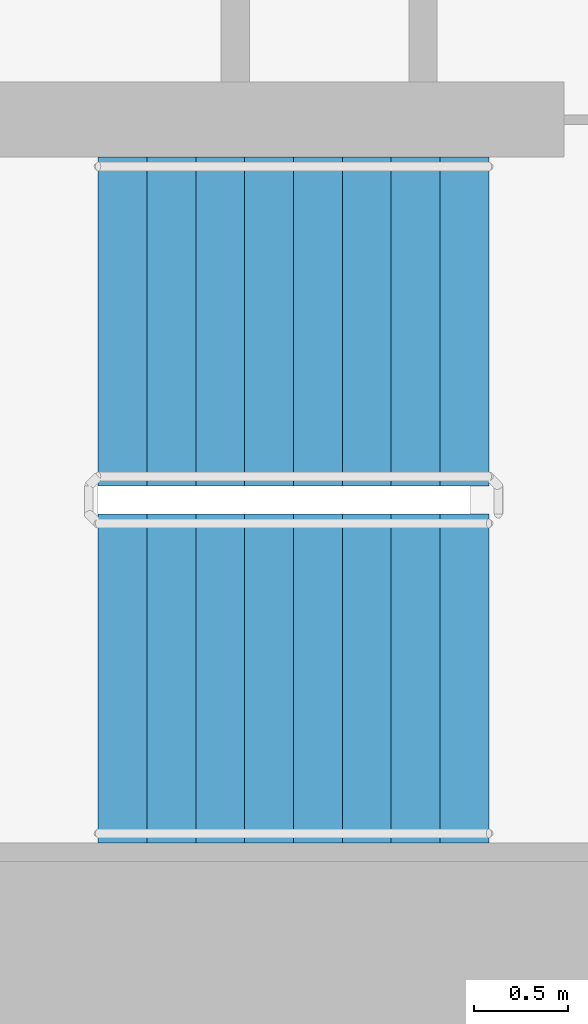
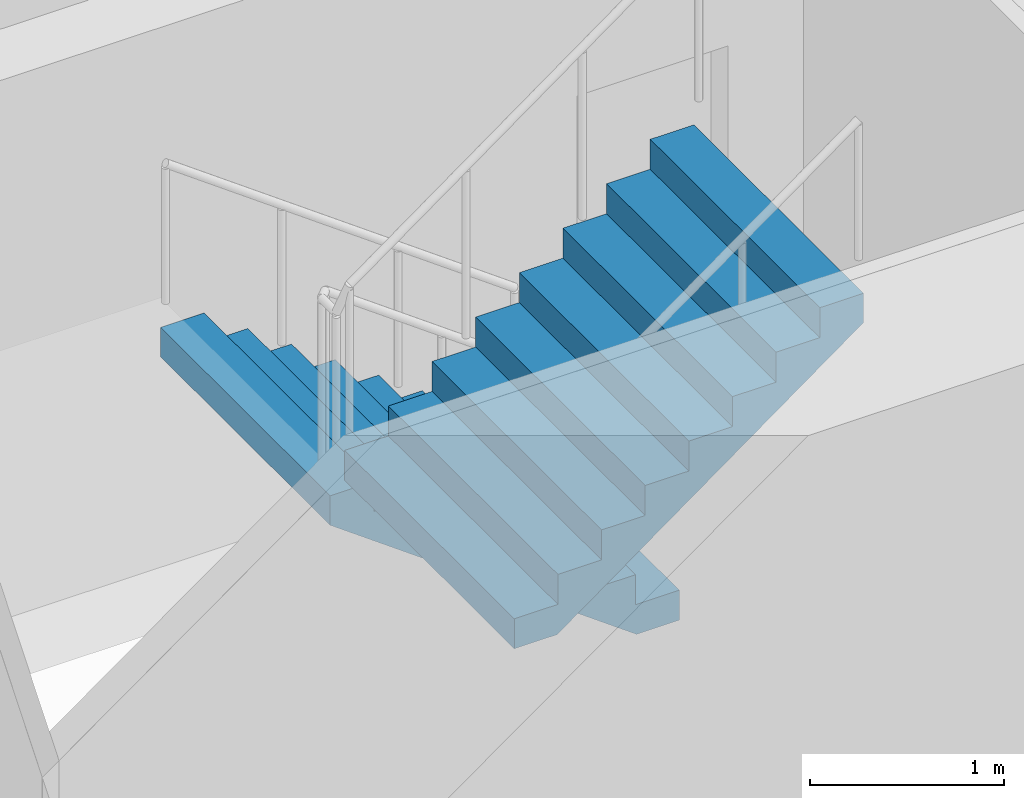
# One storey, part 17 of 22: 2 stair flights, 1 element without a shape of its own.
"""IFC4 building model written with IfcOpenShell, lengths in metres."""

from ifc_helpers import new_model, si_unit, direction, frame, origin, place, context, subcontext, project, spatial, faceted_brep, material, type_object, element, aggregate, save


model = new_model("IFC4")

# Units and contexts
model_context = context("Model", 3, precision=1e-05, world=origin(), true_north=direction((0.0, 1.0)))
body_context = subcontext(model_context, "Body", "Model", "MODEL_VIEW")
ifc_project = project(units=[si_unit("LENGTHUNIT", "METRE"), si_unit("AREAUNIT", "SQUARE_METRE"), si_unit("VOLUMEUNIT", "CUBIC_METRE"), si_unit("PLANEANGLEUNIT", "RADIAN"), si_unit("MASSUNIT", "GRAM", prefix="KILO")], contexts=[model_context])

# Site, building, storey
site_placement = place(None, origin())
site = spatial("IfcSite", under=ifc_project, at=site_placement, CompositionType="ELEMENT")
building_placement = place(site_placement, origin())
building = spatial("IfcBuilding", under=site, at=building_placement, Name="Ipe Terrace Towers", CompositionType="ELEMENT")
storey_placement = place(building_placement, frame((0.0, 0.0, 68.699951171875)))
storey = spatial("IfcBuildingStorey", under=building, at=storey_placement, Name="L18", CompositionType="ELEMENT", Elevation=68.699951171875)

# Stair, stair flights
ifc_material_1 = material(Name="Concrete C30/37", Category="concrete")
stair_type = type_object("IfcStairType", Name="Protected exit stair", PredefinedType="HALF_TURN_STAIR", material=ifc_material_1)
stair_placement = place(storey_placement, origin())
stair = element("IfcStair", 1, at=stair_placement, inside=storey, type_object=stair_type, Name="L18 Exit stair T1-C2", PredefinedType="HALF_TURN_STAIR")
ifc_material_2 = material(Name="Concrete C30/37", Category="concrete")
stair_flight_type = type_object("IfcStairFlightType", Name="Exit stair flight 1750", PredefinedType="STRAIGHT", material=ifc_material_2)
stair_flight_1_placement = place(storey_placement, frame((-45.699951171875, -2.77490234375, 0.0), z_axis=(0.0, 0.0, 1.0), x_axis=(-1.0, 0.0, 0.0)))
stair_flight_1 = element("IfcStairFlight", 2, at=stair_flight_1_placement, type_object=stair_flight_type, Name="T1-ST2 flight 1", NumberOfRisers=9, NumberOfTreads=8, PredefinedType="STRAIGHT", RiserHeight=0.188888889, TreadLength=0.26, context=body_context, shape_type="Brep", body=[
    faceted_brep([(0.255126953125, -0.875, 0.0), (2.080078125, -0.875, 1.325927734375), (2.080078125, -0.875, 1.51123046875), (1.820068359375, -0.875, 1.51123046875), (1.820068359375, -0.875, 1.322265625), (1.56005859375, -0.875, 1.322265625), (1.56005859375, -0.875, 1.13330078125), (1.300048828125, -0.875, 1.13330078125), (1.300048828125, -0.875, 0.9443359375), (1.0400390625, -0.875, 0.9443359375), (1.0400390625, -0.875, 0.755615234375), (0.780029296875, -0.875, 0.755615234375), (0.780029296875, -0.875, 0.566650390625), (0.52001953125, -0.875, 0.566650390625), (0.52001953125, -0.875, 0.377685546875), (0.260009765625, -0.875, 0.377685546875), (0.260009765625, -0.875, 0.18896484375), (0.0, -0.875, 0.18896484375), (0.0, -0.875, 0.0), (0.0, 0.875, 0.0), (0.0, 0.875, 0.18896484375), (0.260009765625, 0.875, 0.18896484375), (0.260009765625, 0.875, 0.377685546875), (0.52001953125, 0.875, 0.377685546875), (0.52001953125, 0.875, 0.566650390625), (0.780029296875, 0.875, 0.566650390625), (0.780029296875, 0.875, 0.755615234375), (1.0400390625, 0.875, 0.755615234375), (1.0400390625, 0.875, 0.9443359375), (1.300048828125, 0.875, 0.9443359375), (1.300048828125, 0.875, 1.13330078125), (1.56005859375, 0.875, 1.13330078125), (1.56005859375, 0.875, 1.322265625), (1.820068359375, 0.875, 1.322265625), (1.820068359375, 0.875, 1.51123046875), (2.080078125, 0.875, 1.51123046875), (2.080078125, 0.875, 1.325927734375), (0.255126953125, 0.875, 0.0), (0.0, -0.300048828125, 0.18896484375), (0.0, -0.1201171875, 0.18896484375), (0.0, -0.06005859375, 0.18896484375), (0.0, -0.030029296875, 0.18896484375), (0.0, -0.010009765625, 0.18896484375), (0.0, 0.0, 0.18896484375), (0.0, 0.010009765625, 0.18896484375), (0.0, 0.030029296875, 0.18896484375), (0.0, 0.06005859375, 0.18896484375), (0.0, 0.1201171875, 0.18896484375), (0.0, 0.300048828125, 0.18896484375), (0.0, 0.300048828125, 0.0), (0.0, 0.1201171875, 0.0), (0.0, 0.06005859375, 0.0), (0.0, 0.030029296875, 0.0), (0.0, 0.010009765625, 0.0), (0.0, 0.0, 0.0), (0.0, -0.010009765625, 0.0), (0.0, -0.030029296875, 0.0), (0.0, -0.06005859375, 0.0), (0.0, -0.1201171875, 0.0), (0.0, -0.300048828125, 0.0), (0.260009765625, -0.300048828125, 0.18896484375), (0.260009765625, -0.1201171875, 0.18896484375), (0.260009765625, -0.06005859375, 0.18896484375), (0.260009765625, -0.030029296875, 0.18896484375), (0.260009765625, -0.010009765625, 0.18896484375), (0.260009765625, 0.0, 0.18896484375), (0.260009765625, 0.010009765625, 0.18896484375), (0.260009765625, 0.030029296875, 0.18896484375), (0.260009765625, 0.06005859375, 0.18896484375), (0.260009765625, 0.1201171875, 0.18896484375), (0.260009765625, 0.300048828125, 0.18896484375), (0.260009765625, -0.300048828125, 0.377685546875), (0.260009765625, -0.1201171875, 0.377685546875), (0.260009765625, -0.06005859375, 0.377685546875), (0.260009765625, -0.030029296875, 0.377685546875), (0.260009765625, -0.010009765625, 0.377685546875), (0.260009765625, 0.0, 0.377685546875), (0.260009765625, 0.010009765625, 0.377685546875), (0.260009765625, 0.030029296875, 0.377685546875), (0.260009765625, 0.06005859375, 0.377685546875), (0.260009765625, 0.1201171875, 0.377685546875), (0.260009765625, 0.300048828125, 0.377685546875), (0.52001953125, -0.300048828125, 0.377685546875), (0.52001953125, -0.1201171875, 0.377685546875), (0.52001953125, -0.06005859375, 0.377685546875), (0.52001953125, -0.030029296875, 0.377685546875), (0.52001953125, -0.010009765625, 0.377685546875), (0.52001953125, 0.0, 0.377685546875), (0.52001953125, 0.010009765625, 0.377685546875), (0.52001953125, 0.030029296875, 0.377685546875), (0.52001953125, 0.06005859375, 0.377685546875), (0.52001953125, 0.1201171875, 0.377685546875), (0.52001953125, 0.300048828125, 0.377685546875), (0.52001953125, -0.300048828125, 0.566650390625), (0.52001953125, -0.1201171875, 0.566650390625), (0.52001953125, -0.06005859375, 0.566650390625), (0.52001953125, -0.030029296875, 0.566650390625), (0.52001953125, -0.010009765625, 0.566650390625), (0.52001953125, 0.0, 0.566650390625), (0.52001953125, 0.010009765625, 0.566650390625), (0.52001953125, 0.030029296875, 0.566650390625), (0.52001953125, 0.06005859375, 0.566650390625), (0.52001953125, 0.1201171875, 0.566650390625), (0.52001953125, 0.300048828125, 0.566650390625), (0.780029296875, -0.300048828125, 0.566650390625), (0.780029296875, -0.1201171875, 0.566650390625), (0.780029296875, -0.06005859375, 0.566650390625), (0.780029296875, -0.030029296875, 0.566650390625), (0.780029296875, -0.010009765625, 0.566650390625), (0.780029296875, 0.0, 0.566650390625), (0.780029296875, 0.010009765625, 0.566650390625), (0.780029296875, 0.030029296875, 0.566650390625), (0.780029296875, 0.06005859375, 0.566650390625), (0.780029296875, 0.1201171875, 0.566650390625), (0.780029296875, 0.300048828125, 0.566650390625), (0.780029296875, -0.300048828125, 0.755615234375), (0.780029296875, -0.1201171875, 0.755615234375), (0.780029296875, -0.06005859375, 0.755615234375), (0.780029296875, -0.030029296875, 0.755615234375), (0.780029296875, -0.010009765625, 0.755615234375), (0.780029296875, 0.0, 0.755615234375), (0.780029296875, 0.010009765625, 0.755615234375), (0.780029296875, 0.030029296875, 0.755615234375), (0.780029296875, 0.06005859375, 0.755615234375), (0.780029296875, 0.1201171875, 0.755615234375), (0.780029296875, 0.300048828125, 0.755615234375), (1.0400390625, -0.300048828125, 0.755615234375), (1.0400390625, -0.1201171875, 0.755615234375), (1.0400390625, -0.06005859375, 0.755615234375), (1.0400390625, -0.030029296875, 0.755615234375), (1.0400390625, -0.010009765625, 0.755615234375), (1.0400390625, 0.0, 0.755615234375), (1.0400390625, 0.010009765625, 0.755615234375), (1.0400390625, 0.030029296875, 0.755615234375), (1.0400390625, 0.06005859375, 0.755615234375), (1.0400390625, 0.1201171875, 0.755615234375), (1.0400390625, 0.300048828125, 0.755615234375), (1.0400390625, -0.300048828125, 0.9443359375), (1.0400390625, -0.1201171875, 0.9443359375), (1.0400390625, -0.06005859375, 0.9443359375), (1.0400390625, -0.030029296875, 0.9443359375), (1.0400390625, -0.010009765625, 0.9443359375), (1.0400390625, 0.0, 0.9443359375), (1.0400390625, 0.010009765625, 0.9443359375), (1.0400390625, 0.030029296875, 0.9443359375), (1.0400390625, 0.06005859375, 0.9443359375), (1.0400390625, 0.1201171875, 0.9443359375), (1.0400390625, 0.300048828125, 0.9443359375), (1.300048828125, -0.300048828125, 0.9443359375), (1.300048828125, -0.1201171875, 0.9443359375), (1.300048828125, -0.06005859375, 0.9443359375), (1.300048828125, -0.030029296875, 0.9443359375), (1.300048828125, -0.010009765625, 0.9443359375), (1.300048828125, 0.0, 0.9443359375), (1.300048828125, 0.010009765625, 0.9443359375), (1.300048828125, 0.030029296875, 0.9443359375), (1.300048828125, 0.06005859375, 0.9443359375), (1.300048828125, 0.1201171875, 0.9443359375), (1.300048828125, 0.300048828125, 0.9443359375), (1.300048828125, -0.300048828125, 1.13330078125), (1.300048828125, -0.1201171875, 1.13330078125), (1.300048828125, -0.06005859375, 1.13330078125), (1.300048828125, -0.030029296875, 1.13330078125), (1.300048828125, -0.010009765625, 1.13330078125), (1.300048828125, 0.0, 1.13330078125), (1.300048828125, 0.010009765625, 1.13330078125), (1.300048828125, 0.030029296875, 1.13330078125), (1.300048828125, 0.06005859375, 1.13330078125), (1.300048828125, 0.1201171875, 1.13330078125), (1.300048828125, 0.300048828125, 1.13330078125), (1.56005859375, -0.300048828125, 1.13330078125), (1.56005859375, -0.1201171875, 1.13330078125), (1.56005859375, -0.06005859375, 1.13330078125), (1.56005859375, -0.030029296875, 1.13330078125), (1.56005859375, -0.010009765625, 1.13330078125), (1.56005859375, 0.0, 1.13330078125), (1.56005859375, 0.010009765625, 1.13330078125), (1.56005859375, 0.030029296875, 1.13330078125), (1.56005859375, 0.06005859375, 1.13330078125), (1.56005859375, 0.1201171875, 1.13330078125), (1.56005859375, 0.300048828125, 1.13330078125), (1.56005859375, -0.300048828125, 1.322265625), (1.56005859375, -0.1201171875, 1.322265625), (1.56005859375, -0.06005859375, 1.322265625), (1.56005859375, -0.030029296875, 1.322265625), (1.56005859375, -0.010009765625, 1.322265625), (1.56005859375, 0.0, 1.322265625), (1.56005859375, 0.010009765625, 1.322265625), (1.56005859375, 0.030029296875, 1.322265625), (1.56005859375, 0.06005859375, 1.322265625), (1.56005859375, 0.1201171875, 1.322265625), (1.56005859375, 0.300048828125, 1.322265625), (1.820068359375, -0.300048828125, 1.322265625), (1.820068359375, -0.1201171875, 1.322265625), (1.820068359375, -0.06005859375, 1.322265625), (1.820068359375, -0.030029296875, 1.322265625), (1.820068359375, -0.010009765625, 1.322265625), (1.820068359375, 0.0, 1.322265625), (1.820068359375, 0.010009765625, 1.322265625), (1.820068359375, 0.030029296875, 1.322265625), (1.820068359375, 0.06005859375, 1.322265625), (1.820068359375, 0.1201171875, 1.322265625), (1.820068359375, 0.300048828125, 1.322265625), (1.820068359375, -0.300048828125, 1.51123046875), (1.820068359375, -0.1201171875, 1.51123046875), (1.820068359375, -0.06005859375, 1.51123046875), (1.820068359375, -0.030029296875, 1.51123046875), (1.820068359375, -0.010009765625, 1.51123046875), (1.820068359375, 0.0, 1.51123046875), (1.820068359375, 0.010009765625, 1.51123046875), (1.820068359375, 0.030029296875, 1.51123046875), (1.820068359375, 0.06005859375, 1.51123046875), (1.820068359375, 0.1201171875, 1.51123046875), (1.820068359375, 0.300048828125, 1.51123046875), (2.080078125, -0.300048828125, 1.51123046875), (2.080078125, -0.1201171875, 1.51123046875), (2.080078125, -0.06005859375, 1.51123046875), (2.080078125, -0.030029296875, 1.51123046875), (2.080078125, -0.010009765625, 1.51123046875), (2.080078125, 0.0, 1.51123046875), (2.080078125, 0.010009765625, 1.51123046875), (2.080078125, 0.030029296875, 1.51123046875), (2.080078125, 0.06005859375, 1.51123046875), (2.080078125, 0.1201171875, 1.51123046875), (2.080078125, 0.300048828125, 1.51123046875), (2.080078125, -0.300048828125, 1.325927734375), (2.080078125, -0.1201171875, 1.325927734375), (2.080078125, -0.06005859375, 1.325927734375), (2.080078125, -0.030029296875, 1.325927734375), (2.080078125, -0.010009765625, 1.325927734375), (2.080078125, 0.0, 1.325927734375), (2.080078125, 0.010009765625, 1.325927734375), (2.080078125, 0.030029296875, 1.325927734375), (2.080078125, 0.06005859375, 1.325927734375), (2.080078125, 0.1201171875, 1.325927734375), (2.080078125, 0.300048828125, 1.325927734375), (0.255126953125, -0.300048828125, 0.0), (0.255126953125, -0.1201171875, 0.0), (0.255126953125, -0.06005859375, 0.0), (0.255126953125, -0.030029296875, 0.0), (0.255126953125, -0.010009765625, 0.0), (0.255126953125, 0.0, 0.0), (0.255126953125, 0.010009765625, 0.0), (0.255126953125, 0.030029296875, 0.0), (0.255126953125, 0.06005859375, 0.0), (0.255126953125, 0.1201171875, 0.0), (0.255126953125, 0.300048828125, 0.0)], [[[0, 1, 2, 3, 4, 5, 6, 7, 8, 9, 10, 11, 12, 13, 14, 15, 16, 17, 18]], [[19, 20, 21, 22, 23, 24, 25, 26, 27, 28, 29, 30, 31, 32, 33, 34, 35, 36, 37]], [[17, 38, 39, 40, 41, 42, 43, 44, 45, 46, 47, 48, 20, 19, 49, 50, 51, 52, 53, 54, 55, 56, 57, 58, 59, 18]], [[16, 60, 61, 62, 63, 64, 65, 66, 67, 68, 69, 70, 21, 20, 48, 47, 46, 45, 44, 43, 42, 41, 40, 39, 38, 17]], [[15, 71, 72, 73, 74, 75, 76, 77, 78, 79, 80, 81, 22, 21, 70, 69, 68, 67, 66, 65, 64, 63, 62, 61, 60, 16]], [[14, 82, 83, 84, 85, 86, 87, 88, 89, 90, 91, 92, 23, 22, 81, 80, 79, 78, 77, 76, 75, 74, 73, 72, 71, 15]], [[13, 93, 94, 95, 96, 97, 98, 99, 100, 101, 102, 103, 24, 23, 92, 91, 90, 89, 88, 87, 86, 85, 84, 83, 82, 14]], [[12, 104, 105, 106, 107, 108, 109, 110, 111, 112, 113, 114, 25, 24, 103, 102, 101, 100, 99, 98, 97, 96, 95, 94, 93, 13]], [[11, 115, 116, 117, 118, 119, 120, 121, 122, 123, 124, 125, 26, 25, 114, 113, 112, 111, 110, 109, 108, 107, 106, 105, 104, 12]], [[10, 126, 127, 128, 129, 130, 131, 132, 133, 134, 135, 136, 27, 26, 125, 124, 123, 122, 121, 120, 119, 118, 117, 116, 115, 11]], [[9, 137, 138, 139, 140, 141, 142, 143, 144, 145, 146, 147, 28, 27, 136, 135, 134, 133, 132, 131, 130, 129, 128, 127, 126, 10]], [[8, 148, 149, 150, 151, 152, 153, 154, 155, 156, 157, 158, 29, 28, 147, 146, 145, 144, 143, 142, 141, 140, 139, 138, 137, 9]], [[7, 159, 160, 161, 162, 163, 164, 165, 166, 167, 168, 169, 30, 29, 158, 157, 156, 155, 154, 153, 152, 151, 150, 149, 148, 8]], [[6, 170, 171, 172, 173, 174, 175, 176, 177, 178, 179, 180, 31, 30, 169, 168, 167, 166, 165, 164, 163, 162, 161, 160, 159, 7]], [[5, 181, 182, 183, 184, 185, 186, 187, 188, 189, 190, 191, 32, 31, 180, 179, 178, 177, 176, 175, 174, 173, 172, 171, 170, 6]], [[4, 192, 193, 194, 195, 196, 197, 198, 199, 200, 201, 202, 33, 32, 191, 190, 189, 188, 187, 186, 185, 184, 183, 182, 181, 5]], [[3, 203, 204, 205, 206, 207, 208, 209, 210, 211, 212, 213, 34, 33, 202, 201, 200, 199, 198, 197, 196, 195, 194, 193, 192, 4]], [[2, 214, 215, 216, 217, 218, 219, 220, 221, 222, 223, 224, 35, 34, 213, 212, 211, 210, 209, 208, 207, 206, 205, 204, 203, 3]], [[1, 225, 226, 227, 228, 229, 230, 231, 232, 233, 234, 235, 36, 35, 224, 223, 222, 221, 220, 219, 218, 217, 216, 215, 214, 2]], [[0, 236, 237, 238, 239, 240, 241, 242, 243, 244, 245, 246, 37, 36, 235, 234, 233, 232, 231, 230, 229, 228, 227, 226, 225, 1]], [[18, 59, 58, 57, 56, 55, 54, 53, 52, 51, 50, 49, 19, 37, 246, 245, 244, 243, 242, 241, 240, 239, 238, 237, 236, 0]]]),
])
stair_flight_2_placement = place(storey_placement, frame((-47.780029296875, -4.675048828125, 1.699951171875), z_axis=(0.0, 0.0, 1.0), x_axis=(1.0, 0.0, 0.0)))
stair_flight_2 = element("IfcStairFlight", 3, at=stair_flight_2_placement, type_object=stair_flight_type, Name="T1-ST2 flight 2", NumberOfRisers=9, NumberOfTreads=8, PredefinedType="STRAIGHT", RiserHeight=0.188888889, TreadLength=0.26, context=body_context, shape_type="Brep", body=[
    faceted_brep([(0.255126953125, -0.875, 0.0), (2.080078125, -0.875, 1.325927734375), (2.080078125, -0.875, 1.51123046875), (1.820068359375, -0.875, 1.51123046875), (1.820068359375, -0.875, 1.322265625), (1.56005859375, -0.875, 1.322265625), (1.56005859375, -0.875, 1.13330078125), (1.300048828125, -0.875, 1.13330078125), (1.300048828125, -0.875, 0.9443359375), (1.0400390625, -0.875, 0.9443359375), (1.0400390625, -0.875, 0.755615234375), (0.780029296875, -0.875, 0.755615234375), (0.780029296875, -0.875, 0.566650390625), (0.52001953125, -0.875, 0.566650390625), (0.52001953125, -0.875, 0.377685546875), (0.260009765625, -0.875, 0.377685546875), (0.260009765625, -0.875, 0.18896484375), (0.0, -0.875, 0.18896484375), (0.0, -0.875, 0.0), (0.0, 0.875, 0.0), (0.0, 0.875, 0.18896484375), (0.260009765625, 0.875, 0.18896484375), (0.260009765625, 0.875, 0.377685546875), (0.52001953125, 0.875, 0.377685546875), (0.52001953125, 0.875, 0.566650390625), (0.780029296875, 0.875, 0.566650390625), (0.780029296875, 0.875, 0.755615234375), (1.0400390625, 0.875, 0.755615234375), (1.0400390625, 0.875, 0.9443359375), (1.300048828125, 0.875, 0.9443359375), (1.300048828125, 0.875, 1.13330078125), (1.56005859375, 0.875, 1.13330078125), (1.56005859375, 0.875, 1.322265625), (1.820068359375, 0.875, 1.322265625), (1.820068359375, 0.875, 1.51123046875), (2.080078125, 0.875, 1.51123046875), (2.080078125, 0.875, 1.325927734375), (0.255126953125, 0.875, 0.0), (0.0, -0.300048828125, 0.18896484375), (0.0, -0.1201171875, 0.18896484375), (0.0, -0.06005859375, 0.18896484375), (0.0, -0.030029296875, 0.18896484375), (0.0, -0.010009765625, 0.18896484375), (0.0, 0.0, 0.18896484375), (0.0, 0.010009765625, 0.18896484375), (0.0, 0.030029296875, 0.18896484375), (0.0, 0.06005859375, 0.18896484375), (0.0, 0.1201171875, 0.18896484375), (0.0, 0.300048828125, 0.18896484375), (0.0, 0.300048828125, 0.0), (0.0, 0.1201171875, 0.0), (0.0, 0.06005859375, 0.0), (0.0, 0.030029296875, 0.0), (0.0, 0.010009765625, 0.0), (0.0, 0.0, 0.0), (0.0, -0.010009765625, 0.0), (0.0, -0.030029296875, 0.0), (0.0, -0.06005859375, 0.0), (0.0, -0.1201171875, 0.0), (0.0, -0.300048828125, 0.0), (0.260009765625, -0.300048828125, 0.18896484375), (0.260009765625, -0.1201171875, 0.18896484375), (0.260009765625, -0.06005859375, 0.18896484375), (0.260009765625, -0.030029296875, 0.18896484375), (0.260009765625, -0.010009765625, 0.18896484375), (0.260009765625, 0.0, 0.18896484375), (0.260009765625, 0.010009765625, 0.18896484375), (0.260009765625, 0.030029296875, 0.18896484375), (0.260009765625, 0.06005859375, 0.18896484375), (0.260009765625, 0.1201171875, 0.18896484375), (0.260009765625, 0.300048828125, 0.18896484375), (0.260009765625, -0.300048828125, 0.377685546875), (0.260009765625, -0.1201171875, 0.377685546875), (0.260009765625, -0.06005859375, 0.377685546875), (0.260009765625, -0.030029296875, 0.377685546875), (0.260009765625, -0.010009765625, 0.377685546875), (0.260009765625, 0.0, 0.377685546875), (0.260009765625, 0.010009765625, 0.377685546875), (0.260009765625, 0.030029296875, 0.377685546875), (0.260009765625, 0.06005859375, 0.377685546875), (0.260009765625, 0.1201171875, 0.377685546875), (0.260009765625, 0.300048828125, 0.377685546875), (0.52001953125, -0.300048828125, 0.377685546875), (0.52001953125, -0.1201171875, 0.377685546875), (0.52001953125, -0.06005859375, 0.377685546875), (0.52001953125, -0.030029296875, 0.377685546875), (0.52001953125, -0.010009765625, 0.377685546875), (0.52001953125, 0.0, 0.377685546875), (0.52001953125, 0.010009765625, 0.377685546875), (0.52001953125, 0.030029296875, 0.377685546875), (0.52001953125, 0.06005859375, 0.377685546875), (0.52001953125, 0.1201171875, 0.377685546875), (0.52001953125, 0.300048828125, 0.377685546875), (0.52001953125, -0.300048828125, 0.566650390625), (0.52001953125, -0.1201171875, 0.566650390625), (0.52001953125, -0.06005859375, 0.566650390625), (0.52001953125, -0.030029296875, 0.566650390625), (0.52001953125, -0.010009765625, 0.566650390625), (0.52001953125, 0.0, 0.566650390625), (0.52001953125, 0.010009765625, 0.566650390625), (0.52001953125, 0.030029296875, 0.566650390625), (0.52001953125, 0.06005859375, 0.566650390625), (0.52001953125, 0.1201171875, 0.566650390625), (0.52001953125, 0.300048828125, 0.566650390625), (0.780029296875, -0.300048828125, 0.566650390625), (0.780029296875, -0.1201171875, 0.566650390625), (0.780029296875, -0.06005859375, 0.566650390625), (0.780029296875, -0.030029296875, 0.566650390625), (0.780029296875, -0.010009765625, 0.566650390625), (0.780029296875, 0.0, 0.566650390625), (0.780029296875, 0.010009765625, 0.566650390625), (0.780029296875, 0.030029296875, 0.566650390625), (0.780029296875, 0.06005859375, 0.566650390625), (0.780029296875, 0.1201171875, 0.566650390625), (0.780029296875, 0.300048828125, 0.566650390625), (0.780029296875, -0.300048828125, 0.755615234375), (0.780029296875, -0.1201171875, 0.755615234375), (0.780029296875, -0.06005859375, 0.755615234375), (0.780029296875, -0.030029296875, 0.755615234375), (0.780029296875, -0.010009765625, 0.755615234375), (0.780029296875, 0.0, 0.755615234375), (0.780029296875, 0.010009765625, 0.755615234375), (0.780029296875, 0.030029296875, 0.755615234375), (0.780029296875, 0.06005859375, 0.755615234375), (0.780029296875, 0.1201171875, 0.755615234375), (0.780029296875, 0.300048828125, 0.755615234375), (1.0400390625, -0.300048828125, 0.755615234375), (1.0400390625, -0.1201171875, 0.755615234375), (1.0400390625, -0.06005859375, 0.755615234375), (1.0400390625, -0.030029296875, 0.755615234375), (1.0400390625, -0.010009765625, 0.755615234375), (1.0400390625, 0.0, 0.755615234375), (1.0400390625, 0.010009765625, 0.755615234375), (1.0400390625, 0.030029296875, 0.755615234375), (1.0400390625, 0.06005859375, 0.755615234375), (1.0400390625, 0.1201171875, 0.755615234375), (1.0400390625, 0.300048828125, 0.755615234375), (1.0400390625, -0.300048828125, 0.9443359375), (1.0400390625, -0.1201171875, 0.9443359375), (1.0400390625, -0.06005859375, 0.9443359375), (1.0400390625, -0.030029296875, 0.9443359375), (1.0400390625, -0.010009765625, 0.9443359375), (1.0400390625, 0.0, 0.9443359375), (1.0400390625, 0.010009765625, 0.9443359375), (1.0400390625, 0.030029296875, 0.9443359375), (1.0400390625, 0.06005859375, 0.9443359375), (1.0400390625, 0.1201171875, 0.9443359375), (1.0400390625, 0.300048828125, 0.9443359375), (1.300048828125, -0.300048828125, 0.9443359375), (1.300048828125, -0.1201171875, 0.9443359375), (1.300048828125, -0.06005859375, 0.9443359375), (1.300048828125, -0.030029296875, 0.9443359375), (1.300048828125, -0.010009765625, 0.9443359375), (1.300048828125, 0.0, 0.9443359375), (1.300048828125, 0.010009765625, 0.9443359375), (1.300048828125, 0.030029296875, 0.9443359375), (1.300048828125, 0.06005859375, 0.9443359375), (1.300048828125, 0.1201171875, 0.9443359375), (1.300048828125, 0.300048828125, 0.9443359375), (1.300048828125, -0.300048828125, 1.13330078125), (1.300048828125, -0.1201171875, 1.13330078125), (1.300048828125, -0.06005859375, 1.13330078125), (1.300048828125, -0.030029296875, 1.13330078125), (1.300048828125, -0.010009765625, 1.13330078125), (1.300048828125, 0.0, 1.13330078125), (1.300048828125, 0.010009765625, 1.13330078125), (1.300048828125, 0.030029296875, 1.13330078125), (1.300048828125, 0.06005859375, 1.13330078125), (1.300048828125, 0.1201171875, 1.13330078125), (1.300048828125, 0.300048828125, 1.13330078125), (1.56005859375, -0.300048828125, 1.13330078125), (1.56005859375, -0.1201171875, 1.13330078125), (1.56005859375, -0.06005859375, 1.13330078125), (1.56005859375, -0.030029296875, 1.13330078125), (1.56005859375, -0.010009765625, 1.13330078125), (1.56005859375, 0.0, 1.13330078125), (1.56005859375, 0.010009765625, 1.13330078125), (1.56005859375, 0.030029296875, 1.13330078125), (1.56005859375, 0.06005859375, 1.13330078125), (1.56005859375, 0.1201171875, 1.13330078125), (1.56005859375, 0.300048828125, 1.13330078125), (1.56005859375, -0.300048828125, 1.322265625), (1.56005859375, -0.1201171875, 1.322265625), (1.56005859375, -0.06005859375, 1.322265625), (1.56005859375, -0.030029296875, 1.322265625), (1.56005859375, -0.010009765625, 1.322265625), (1.56005859375, 0.0, 1.322265625), (1.56005859375, 0.010009765625, 1.322265625), (1.56005859375, 0.030029296875, 1.322265625), (1.56005859375, 0.06005859375, 1.322265625), (1.56005859375, 0.1201171875, 1.322265625), (1.56005859375, 0.300048828125, 1.322265625), (1.820068359375, -0.300048828125, 1.322265625), (1.820068359375, -0.1201171875, 1.322265625), (1.820068359375, -0.06005859375, 1.322265625), (1.820068359375, -0.030029296875, 1.322265625), (1.820068359375, -0.010009765625, 1.322265625), (1.820068359375, 0.0, 1.322265625), (1.820068359375, 0.010009765625, 1.322265625), (1.820068359375, 0.030029296875, 1.322265625), (1.820068359375, 0.06005859375, 1.322265625), (1.820068359375, 0.1201171875, 1.322265625), (1.820068359375, 0.300048828125, 1.322265625), (1.820068359375, -0.300048828125, 1.51123046875), (1.820068359375, -0.1201171875, 1.51123046875), (1.820068359375, -0.06005859375, 1.51123046875), (1.820068359375, -0.030029296875, 1.51123046875), (1.820068359375, -0.010009765625, 1.51123046875), (1.820068359375, 0.0, 1.51123046875), (1.820068359375, 0.010009765625, 1.51123046875), (1.820068359375, 0.030029296875, 1.51123046875), (1.820068359375, 0.06005859375, 1.51123046875), (1.820068359375, 0.1201171875, 1.51123046875), (1.820068359375, 0.300048828125, 1.51123046875), (2.080078125, -0.300048828125, 1.51123046875), (2.080078125, -0.1201171875, 1.51123046875), (2.080078125, -0.06005859375, 1.51123046875), (2.080078125, -0.030029296875, 1.51123046875), (2.080078125, -0.010009765625, 1.51123046875), (2.080078125, 0.0, 1.51123046875), (2.080078125, 0.010009765625, 1.51123046875), (2.080078125, 0.030029296875, 1.51123046875), (2.080078125, 0.06005859375, 1.51123046875), (2.080078125, 0.1201171875, 1.51123046875), (2.080078125, 0.300048828125, 1.51123046875), (2.080078125, -0.300048828125, 1.325927734375), (2.080078125, -0.1201171875, 1.325927734375), (2.080078125, -0.06005859375, 1.325927734375), (2.080078125, -0.030029296875, 1.325927734375), (2.080078125, -0.010009765625, 1.325927734375), (2.080078125, 0.0, 1.325927734375), (2.080078125, 0.010009765625, 1.325927734375), (2.080078125, 0.030029296875, 1.325927734375), (2.080078125, 0.06005859375, 1.325927734375), (2.080078125, 0.1201171875, 1.325927734375), (2.080078125, 0.300048828125, 1.325927734375), (0.255126953125, -0.300048828125, 0.0), (0.255126953125, -0.1201171875, 0.0), (0.255126953125, -0.06005859375, 0.0), (0.255126953125, -0.030029296875, 0.0), (0.255126953125, -0.010009765625, 0.0), (0.255126953125, 0.0, 0.0), (0.255126953125, 0.010009765625, 0.0), (0.255126953125, 0.030029296875, 0.0), (0.255126953125, 0.06005859375, 0.0), (0.255126953125, 0.1201171875, 0.0), (0.255126953125, 0.300048828125, 0.0)], [[[0, 1, 2, 3, 4, 5, 6, 7, 8, 9, 10, 11, 12, 13, 14, 15, 16, 17, 18]], [[19, 20, 21, 22, 23, 24, 25, 26, 27, 28, 29, 30, 31, 32, 33, 34, 35, 36, 37]], [[17, 38, 39, 40, 41, 42, 43, 44, 45, 46, 47, 48, 20, 19, 49, 50, 51, 52, 53, 54, 55, 56, 57, 58, 59, 18]], [[16, 60, 61, 62, 63, 64, 65, 66, 67, 68, 69, 70, 21, 20, 48, 47, 46, 45, 44, 43, 42, 41, 40, 39, 38, 17]], [[15, 71, 72, 73, 74, 75, 76, 77, 78, 79, 80, 81, 22, 21, 70, 69, 68, 67, 66, 65, 64, 63, 62, 61, 60, 16]], [[14, 82, 83, 84, 85, 86, 87, 88, 89, 90, 91, 92, 23, 22, 81, 80, 79, 78, 77, 76, 75, 74, 73, 72, 71, 15]], [[13, 93, 94, 95, 96, 97, 98, 99, 100, 101, 102, 103, 24, 23, 92, 91, 90, 89, 88, 87, 86, 85, 84, 83, 82, 14]], [[12, 104, 105, 106, 107, 108, 109, 110, 111, 112, 113, 114, 25, 24, 103, 102, 101, 100, 99, 98, 97, 96, 95, 94, 93, 13]], [[11, 115, 116, 117, 118, 119, 120, 121, 122, 123, 124, 125, 26, 25, 114, 113, 112, 111, 110, 109, 108, 107, 106, 105, 104, 12]], [[10, 126, 127, 128, 129, 130, 131, 132, 133, 134, 135, 136, 27, 26, 125, 124, 123, 122, 121, 120, 119, 118, 117, 116, 115, 11]], [[9, 137, 138, 139, 140, 141, 142, 143, 144, 145, 146, 147, 28, 27, 136, 135, 134, 133, 132, 131, 130, 129, 128, 127, 126, 10]], [[8, 148, 149, 150, 151, 152, 153, 154, 155, 156, 157, 158, 29, 28, 147, 146, 145, 144, 143, 142, 141, 140, 139, 138, 137, 9]], [[7, 159, 160, 161, 162, 163, 164, 165, 166, 167, 168, 169, 30, 29, 158, 157, 156, 155, 154, 153, 152, 151, 150, 149, 148, 8]], [[6, 170, 171, 172, 173, 174, 175, 176, 177, 178, 179, 180, 31, 30, 169, 168, 167, 166, 165, 164, 163, 162, 161, 160, 159, 7]], [[5, 181, 182, 183, 184, 185, 186, 187, 188, 189, 190, 191, 32, 31, 180, 179, 178, 177, 176, 175, 174, 173, 172, 171, 170, 6]], [[4, 192, 193, 194, 195, 196, 197, 198, 199, 200, 201, 202, 33, 32, 191, 190, 189, 188, 187, 186, 185, 184, 183, 182, 181, 5]], [[3, 203, 204, 205, 206, 207, 208, 209, 210, 211, 212, 213, 34, 33, 202, 201, 200, 199, 198, 197, 196, 195, 194, 193, 192, 4]], [[2, 214, 215, 216, 217, 218, 219, 220, 221, 222, 223, 224, 35, 34, 213, 212, 211, 210, 209, 208, 207, 206, 205, 204, 203, 3]], [[1, 225, 226, 227, 228, 229, 230, 231, 232, 233, 234, 235, 36, 35, 224, 223, 222, 221, 220, 219, 218, 217, 216, 215, 214, 2]], [[0, 236, 237, 238, 239, 240, 241, 242, 243, 244, 245, 246, 37, 36, 235, 234, 233, 232, 231, 230, 229, 228, 227, 226, 225, 1]], [[18, 59, 58, 57, 56, 55, 54, 53, 52, 51, 50, 49, 19, 37, 246, 245, 244, 243, 242, 241, 240, 239, 238, 237, 236, 0]]]),
])
aggregate(stair, [stair_flight_1, stair_flight_2])

save(model, "model.ifc")
